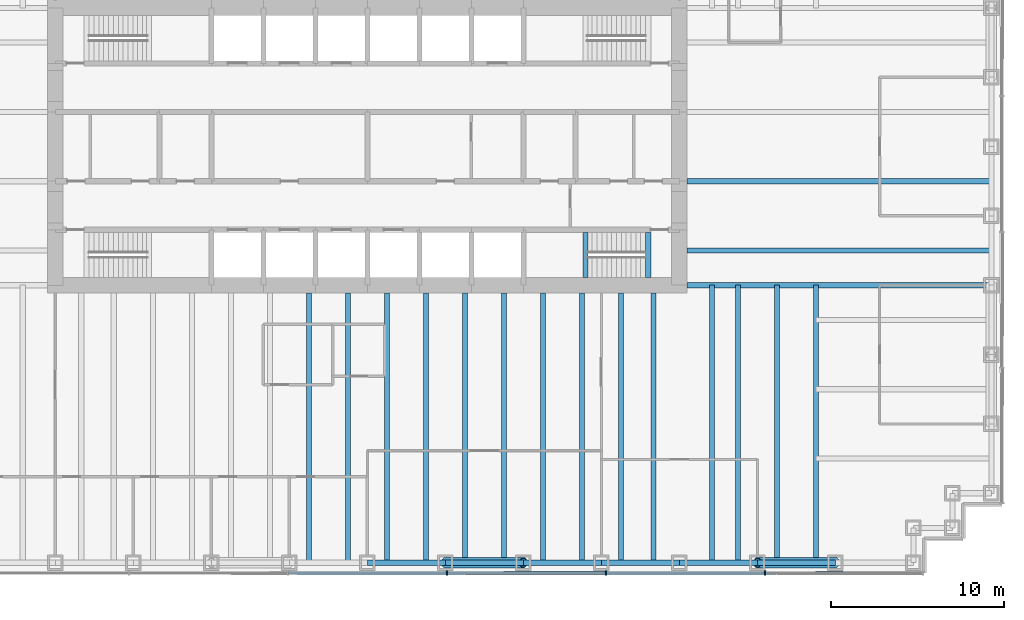
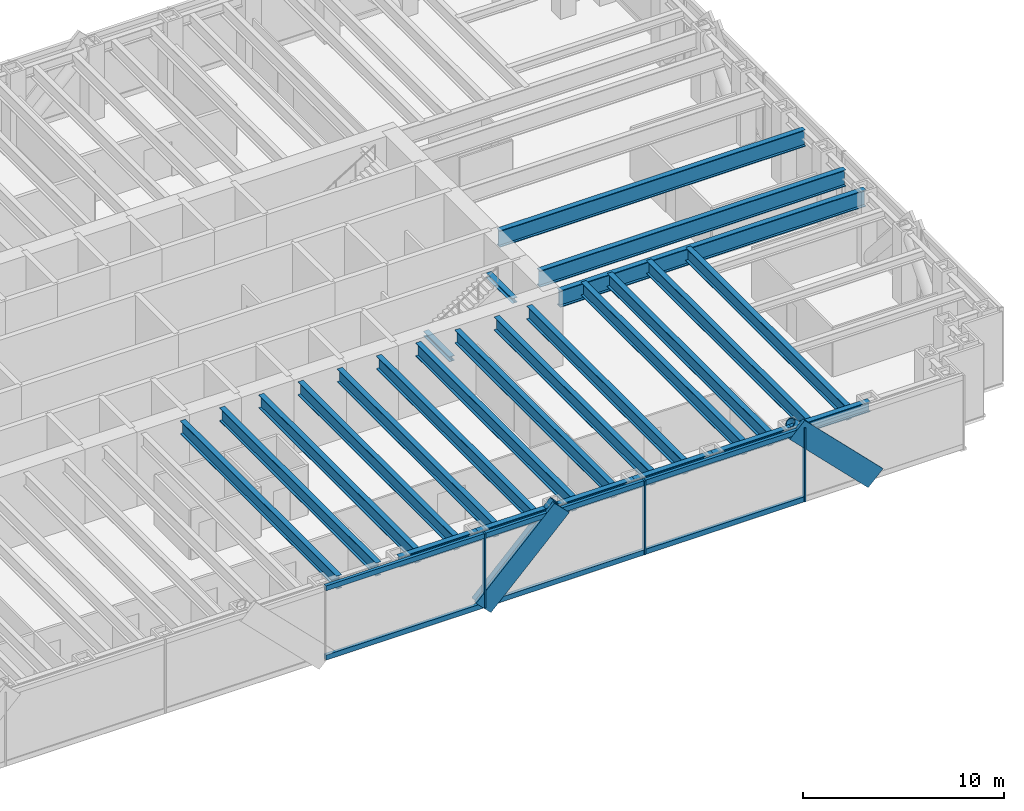
# One storey, part 3 of 13: 25 beams, 13 members, 1 element without a shape of its own.
"""IFC4 building model written with IfcOpenShell, lengths in metres."""

from ifc_helpers import new_model, si_unit, direction, frame, origin, origin_2d, place, context, subcontext, project, spatial, rectangle, hollow_circle, i_section, extrude, material, material_profile, profile_set, type_object, element, aggregate, save


model = new_model("IFC4")

# Units and contexts
model_context = context("Model", 3, precision=1e-05, world=origin(), true_north=direction((0.0, 1.0)))
body_context = subcontext(model_context, "Body", "Model", "MODEL_VIEW")
ifc_project = project(units=[si_unit("LENGTHUNIT", "METRE"), si_unit("AREAUNIT", "SQUARE_METRE"), si_unit("VOLUMEUNIT", "CUBIC_METRE"), si_unit("PLANEANGLEUNIT", "RADIAN"), si_unit("MASSUNIT", "GRAM", prefix="KILO")], contexts=[model_context])

# Site, building, storey
site_placement = place(None, origin())
site = spatial("IfcSite", under=ifc_project, at=site_placement, CompositionType="ELEMENT")
building_placement = place(site_placement, origin())
building = spatial("IfcBuilding", under=site, at=building_placement, Name="Rheinbord Bourse Tower", CompositionType="ELEMENT")
storey_placement = place(building_placement, frame((0.0, 0.0, 68.0)))
storey = spatial("IfcBuildingStorey", under=building, at=storey_placement, Name="L14", CompositionType="ELEMENT", Elevation=68.0)

# Curtain wall, members
ifc_material_1 = material(Name="Dark glass and black aluminium", Category="aluminium")
curtain_wall_type = type_object("IfcCurtainWallType", Name="CW1 DARK GLASS CURTAIN WALL", PredefinedType="USERDEFINED", material=ifc_material_1)
curtain_wall_placement = place(storey_placement, origin())
curtain_wall = element("IfcCurtainWall", 1, at=curtain_wall_placement, inside=storey, type_object=curtain_wall_type, Name="Curtain wall CW1 S L14", ObjectType="UNITISED CURTAIN WALL", PredefinedType="USERDEFINED")
ifc_material_2 = material(Name="Black anodised aluminium", Category="aluminium")
ifc_material_profile_1 = material_profile(ifc_material_2, rectangle(XDim=0.179931640625, YDim=1.2099609375, at=origin_2d()), Name="CW1 DIAGONAL MULLION 1210x180")
ifc_profile_set_1 = profile_set([ifc_material_profile_1], Name="Black anodised aluminium")
member_type_1 = type_object("IfcMemberType", Name="CW1 BLACK DIAGONAL MULLION", PredefinedType="USERDEFINED", material=ifc_profile_set_1)
member_1_placement = place(storey_placement, frame((63.0, -0.60009765625, 0.0), z_axis=(-0.707106781187, 0.0, 0.707106781187), x_axis=(0.0, -1.0, 0.0)))
member_1 = element("IfcMember", 2, at=member_1_placement, type_object=member_type_1, Name="CW1 diagonal mullion a", ObjectType="DIAGONAL MULLION", PredefinedType="USERDEFINED", context=body_context, shape_type="SweptSolid", body=[
    extrude(rectangle(XDim=0.179931640625, YDim=1.2099609375, at=origin_2d()), origin(), (0.0, 0.0, 1.0), 6.364013671875),
])
member_2_placement = place(storey_placement, frame((40.5, -0.60009765625, 0.0), z_axis=(0.707106781187, 0.0, 0.707106781187), x_axis=(0.0, 1.0, 0.0)))
member_2 = element("IfcMember", 3, at=member_2_placement, type_object=member_type_1, Name="CW1 diagonal mullion d", ObjectType="DIAGONAL MULLION", PredefinedType="USERDEFINED", context=body_context, shape_type="SweptSolid", body=[
    extrude(rectangle(XDim=0.179931640625, YDim=1.2099609375, at=origin_2d()), origin(), (0.0, 0.0, 1.0), 6.364013671875),
])
ifc_material_3 = material(Name="Black anodised aluminium", Category="aluminium")
ifc_material_profile_2 = material_profile(ifc_material_3, rectangle(XDim=0.25, YDim=0.080078125, at=origin_2d()), Name="CW1 MULLION 80x250")
ifc_profile_set_2 = profile_set([ifc_material_profile_2], Name="Black anodised aluminium")
member_type_2 = type_object("IfcMemberType", Name="CW1 BLACK MULLION", PredefinedType="MULLION", material=ifc_profile_set_2)
member_3_placement = place(storey_placement, frame((40.585693359375, -0.60009765625, 0.0), z_axis=(0.0, 0.0, 1.0), x_axis=(0.0, 1.0, 0.0)))
member_3 = element("IfcMember", 4, at=member_3_placement, type_object=member_type_2, Name="CW1 mullion 5", PredefinedType="MULLION", context=body_context, shape_type="SweptSolid", body=[
    extrude(rectangle(XDim=0.25, YDim=0.080078125, at=origin_2d()), origin(), (0.0, 0.0, 1.0), 4.5),
])
member_4_placement = place(storey_placement, frame((49.757080078125, -0.60009765625, 0.0), z_axis=(0.0, 0.0, 1.0), x_axis=(0.0, 1.0, 0.0)))
member_4 = element("IfcMember", 5, at=member_4_placement, type_object=member_type_2, Name="CW1 mullion 6", PredefinedType="MULLION", context=body_context, shape_type="SweptSolid", body=[
    extrude(rectangle(XDim=0.25, YDim=0.080078125, at=origin_2d()), origin(), (0.0, 0.0, 1.0), 4.5),
])
member_5_placement = place(storey_placement, frame((58.928466796875, -0.60009765625, 0.0), z_axis=(0.0, 0.0, 1.0), x_axis=(0.0, 1.0, 0.0)))
member_5 = element("IfcMember", 6, at=member_5_placement, type_object=member_type_2, Name="CW1 mullion 7", PredefinedType="MULLION", context=body_context, shape_type="SweptSolid", body=[
    extrude(rectangle(XDim=0.25, YDim=0.080078125, at=origin_2d()), origin(), (0.0, 0.0, 1.0), 4.5),
])
ifc_material_4 = material(Name="Black anodised aluminium", Category="aluminium")
ifc_material_profile_3 = material_profile(ifc_material_4, rectangle(XDim=0.179931640625, YDim=0.300048828125, at=origin_2d()), Name="CW1 TRANSOM 300x180")
ifc_profile_set_3 = profile_set([ifc_material_profile_3], Name="Black anodised aluminium")
member_type_3 = type_object("IfcMemberType", Name="CW1 BLACK TRANSOM", PredefinedType="USERDEFINED", material=ifc_profile_set_3)
member_6_placement = place(storey_placement, frame((31.454345703125, -0.60009765625, 0.14990234375), z_axis=(1.0, 0.0, 0.0), x_axis=(0.0, 1.0, 0.0)))
member_6 = element("IfcMember", 7, at=member_6_placement, type_object=member_type_3, Name="CW1 transom 4.1", ObjectType="TRANSOM", PredefinedType="USERDEFINED", context=body_context, shape_type="SweptSolid", body=[
    extrude(rectangle(XDim=0.179931640625, YDim=0.300048828125, at=origin_2d()), origin(), (0.0, 0.0, 1.0), 9.09130859375),
])
member_7_placement = place(storey_placement, frame((31.454345703125, -0.60009765625, 4.35009765625), z_axis=(1.0, 0.0, 0.0), x_axis=(0.0, 1.0, 0.0)))
member_7 = element("IfcMember", 8, at=member_7_placement, type_object=member_type_3, Name="CW1 transom 4.2", ObjectType="TRANSOM", PredefinedType="USERDEFINED", context=body_context, shape_type="SweptSolid", body=[
    extrude(rectangle(XDim=0.179931640625, YDim=0.300048828125, at=origin_2d()), origin(), (0.0, 0.0, 1.0), 9.09130859375),
])
member_8_placement = place(storey_placement, frame((40.625732421875, -0.60009765625, 0.14990234375), z_axis=(1.0, 0.0, 0.0), x_axis=(0.0, 1.0, 0.0)))
member_8 = element("IfcMember", 9, at=member_8_placement, type_object=member_type_3, Name="CW1 transom 5.1", ObjectType="TRANSOM", PredefinedType="USERDEFINED", context=body_context, shape_type="SweptSolid", body=[
    extrude(rectangle(XDim=0.179931640625, YDim=0.300048828125, at=origin_2d()), origin(), (0.0, 0.0, 1.0), 9.09130859375),
])
member_9_placement = place(storey_placement, frame((40.625732421875, -0.60009765625, 4.35009765625), z_axis=(1.0, 0.0, 0.0), x_axis=(0.0, 1.0, 0.0)))
member_9 = element("IfcMember", 10, at=member_9_placement, type_object=member_type_3, Name="CW1 transom 5.2", ObjectType="TRANSOM", PredefinedType="USERDEFINED", context=body_context, shape_type="SweptSolid", body=[
    extrude(rectangle(XDim=0.179931640625, YDim=0.300048828125, at=origin_2d()), origin(), (0.0, 0.0, 1.0), 9.09130859375),
])
member_10_placement = place(storey_placement, frame((49.797119140625, -0.60009765625, 0.14990234375), z_axis=(1.0, 0.0, 0.0), x_axis=(0.0, 1.0, 0.0)))
member_10 = element("IfcMember", 11, at=member_10_placement, type_object=member_type_3, Name="CW1 transom 6.1", ObjectType="TRANSOM", PredefinedType="USERDEFINED", context=body_context, shape_type="SweptSolid", body=[
    extrude(rectangle(XDim=0.179931640625, YDim=0.300048828125, at=origin_2d()), origin(), (0.0, 0.0, 1.0), 9.091552734375),
])
member_11_placement = place(storey_placement, frame((49.797119140625, -0.60009765625, 4.35009765625), z_axis=(1.0, 0.0, 0.0), x_axis=(0.0, 1.0, 0.0)))
member_11 = element("IfcMember", 12, at=member_11_placement, type_object=member_type_3, Name="CW1 transom 6.2", ObjectType="TRANSOM", PredefinedType="USERDEFINED", context=body_context, shape_type="SweptSolid", body=[
    extrude(rectangle(XDim=0.179931640625, YDim=0.300048828125, at=origin_2d()), origin(), (0.0, 0.0, 1.0), 9.091552734375),
])
aggregate(curtain_wall, [member_3, member_4, member_5, member_6, member_7, member_8, member_9, member_10, member_11, member_1, member_2])

# Beams
ifc_material_5 = material(Name="Steel S460", Category="steel")
ifc_material_profile_4 = material_profile(ifc_material_5, i_section(OverallWidth=0.302001953125, OverallDepth=1.008056640625, WebThickness=0.02099609375, FlangeThickness=0.0400390625, at=origin_2d()), Name="HEM 1000")
ifc_profile_set_4 = profile_set([ifc_material_profile_4], Name="Steel S460")
beam_type_1 = type_object("IfcBeamType", Name="END BEAM HEM 1000", PredefinedType="BEAM", material=ifc_profile_set_4)
for number, where, z_axis, x_axis, name in (
    (13, (54.449951171875, 18.0, 3.81591796875), (1.0, 0.0, 0.0), (0.0, 1.0, 0.0), "End beam east 18 L15"),
    (14, (54.449951171875, 22.0, 3.81591796875), (1.0, 0.0, 0.0), (0.0, 1.0, 0.0), "End beam east 22 L15"),
):
    element("IfcBeam", number, at=place(storey_placement, frame(where, z_axis=z_axis, x_axis=x_axis)), inside=storey, type_object=beam_type_1, Name=name, PredefinedType="BEAM", context=body_context, shape_type="SweptSolid", body=[
        extrude(i_section(OverallWidth=0.302001953125, OverallDepth=1.008056640625, WebThickness=0.02099609375, FlangeThickness=0.0400390625, at=origin_2d()), origin(), (0.0, 0.0, 1.0), 17.550048828125),
    ])
ifc_material_6 = material(Name="Steel S460", Category="steel")
ifc_material_profile_5 = material_profile(ifc_material_6, i_section(OverallWidth=0.300048828125, OverallDepth=0.800048828125, WebThickness=0.017578125, FlangeThickness=0.032958984375, at=origin_2d()), Name="HEB 800")
ifc_profile_set_5 = profile_set([ifc_material_profile_5], Name="Steel S460")
beam_type_2 = type_object("IfcBeamType", Name="FLOOR BEAM HEB 800", PredefinedType="BEAM", material=ifc_profile_set_5)
for number, where, z_axis, x_axis, name in (
    (15, (32.625, 0.0, 3.919921875), (0.0, 1.0, 0.0), (-1.0, 0.0, 0.0), "Floor beam S-31.5a L15"),
    (16, (34.875, 0.0, 3.919921875), (0.0, 1.0, 0.0), (-1.0, 0.0, 0.0), "Floor beam S-31.5b L15"),
    (17, (37.125, 0.0, 3.919921875), (0.0, 1.0, 0.0), (-1.0, 0.0, 0.0), "Floor beam S-36a L15"),
    (18, (39.375, 0.0, 3.919921875), (0.0, 1.0, 0.0), (-1.0, 0.0, 0.0), "Floor beam S-36b L15"),
    (19, (41.625, 0.0, 3.919921875), (0.0, 1.0, 0.0), (-1.0, 0.0, 0.0), "Floor beam S-40.5a L15"),
    (20, (43.875, 0.0, 3.919921875), (0.0, 1.0, 0.0), (-1.0, 0.0, 0.0), "Floor beam S-40.5b L15"),
    (21, (46.125, 0.0, 3.919921875), (0.0, 1.0, 0.0), (-1.0, 0.0, 0.0), "Floor beam S-45a L15"),
    (22, (48.375, 0.0, 3.919921875), (0.0, 1.0, 0.0), (-1.0, 0.0, 0.0), "Floor beam S-45b L15"),
    (23, (50.625, 0.0, 3.919921875), (0.0, 1.0, 0.0), (-1.0, 0.0, 0.0), "Floor beam S-49.5a L15"),
    (24, (52.5, 0.0, 3.919921875), (0.0, 1.0, 0.0), (-1.0, 0.0, 0.0), "Floor beam S-49.5b L15"),
):
    element("IfcBeam", number, at=place(storey_placement, frame(where, z_axis=z_axis, x_axis=x_axis)), inside=storey, type_object=beam_type_2, Name=name, PredefinedType="BEAM", context=body_context, shape_type="SweptSolid", body=[
        extrude(i_section(OverallWidth=0.300048828125, OverallDepth=0.800048828125, WebThickness=0.017578125, FlangeThickness=0.032958984375, at=origin_2d()), origin(), (0.0, 0.0, 1.0), 15.550048828125),
    ])
for number, where, z_axis, x_axis, name in (
    (25, (55.875, 0.0, 3.919921875), (0.0, 1.0, 0.0), (-1.0, 0.0, 0.0), "Floor beam S-54a L15"),
    (26, (57.375, 0.0, 3.919921875), (0.0, 1.0, 0.0), (-1.0, 0.0, 0.0), "Floor beam S-54b L15"),
    (27, (59.625, 0.0, 3.919921875), (0.0, 1.0, 0.0), (-1.0, 0.0, 0.0), "Floor beam S-58.5a L15"),
    (28, (61.875, 0.0, 3.919921875), (0.0, 1.0, 0.0), (-1.0, 0.0, 0.0), "Floor beam S-58.5b L15"),
):
    element("IfcBeam", number, at=place(storey_placement, frame(where, z_axis=z_axis, x_axis=x_axis)), inside=storey, type_object=beam_type_2, Name=name, PredefinedType="BEAM", context=body_context, shape_type="SweptSolid", body=[
        extrude(i_section(OverallWidth=0.300048828125, OverallDepth=0.800048828125, WebThickness=0.017578125, FlangeThickness=0.032958984375, at=origin_2d()), origin(), (0.0, 0.0, 1.0), 16.0),
    ])
ifc_material_7 = material(Name="Steel S460", Category="steel")
ifc_material_profile_6 = material_profile(ifc_material_7, i_section(OverallWidth=0.302001953125, OverallDepth=1.008056640625, WebThickness=0.02099609375, FlangeThickness=0.0400390625, at=origin_2d()), Name="HEM 1000")
ifc_profile_set_6 = profile_set([ifc_material_profile_6], Name="Steel S460")
beam_type_3 = type_object("IfcBeamType", Name="GIRDER HEM 1000", PredefinedType="BEAM", material=ifc_profile_set_6)
beam_placement = place(storey_placement, frame((54.449951171875, 16.0, 3.81591796875), z_axis=(1.0, 0.0, 0.0), x_axis=(0.0, 1.0, 0.0)))
element("IfcBeam", 29, at=beam_placement, inside=storey, type_object=beam_type_3, Name="Girder east 16 L15", PredefinedType="BEAM", context=body_context, shape_type="SweptSolid", body=[
    extrude(i_section(OverallWidth=0.302001953125, OverallDepth=1.008056640625, WebThickness=0.02099609375, FlangeThickness=0.0400390625, at=origin_2d()), origin(), (0.0, 0.0, 1.0), 17.550048828125),
])
ifc_material_8 = material(Name="Steel S460", Category="steel")
ifc_material_profile_7 = material_profile(ifc_material_8, i_section(OverallWidth=0.300048828125, OverallDepth=0.300048828125, WebThickness=0.010986328125, FlangeThickness=0.01904296875, at=origin_2d()), Name="HEB 300")
ifc_profile_set_7 = profile_set([ifc_material_profile_7], Name="Steel S460")
beam_type_4 = type_object("IfcBeamType", Name="LANDING TRIMMER HEB 300", PredefinedType="BEAM", material=ifc_profile_set_7)
for number, where, z_axis, x_axis, name in (
    (30, (48.590087890625, 16.449951171875, 1.89990234375), (0.0, 1.0, 0.0), (-1.0, 0.0, 0.0), "Landing trimmer ST3 L14"),
    (31, (52.199951171875, 16.449951171875, 4.169921875), (0.0, 1.0, 0.0), (-1.0, 0.0, 0.0), "Well trimmer ST3 under L15"),
):
    element("IfcBeam", number, at=place(storey_placement, frame(where, z_axis=z_axis, x_axis=x_axis)), inside=storey, type_object=beam_type_4, Name=name, PredefinedType="BEAM", context=body_context, shape_type="SweptSolid", body=[
        extrude(i_section(OverallWidth=0.300048828125, OverallDepth=0.300048828125, WebThickness=0.010986328125, FlangeThickness=0.01904296875, at=origin_2d()), origin(), (0.0, 0.0, 1.0), 2.60009765625),
    ])

# Members
ifc_material_9 = material(Name="Steel S460", Category="steel")
ifc_material_profile_8 = material_profile(ifc_material_9, hollow_circle(Radius=0.304931640625, WallThickness=0.050048828125, at=origin_2d()), Name="CHS 610x50")
ifc_profile_set_8 = profile_set([ifc_material_profile_8], Name="Steel S460")
member_type_4 = type_object("IfcMemberType", Name="MEGABRACE CHS 610x50", PredefinedType="BRACE", material=ifc_profile_set_8)
for number, where, z_axis, x_axis, name in (
    (32, (63.0, 0.0, 0.0), (-0.707106781187, 0.0, 0.707106781187), (0.0, -1.0, 0.0), "Megabrace S face line a L14"),
    (33, (40.5, 0.0, 0.0), (0.707106781187, 0.0, 0.707106781187), (0.0, 1.0, 0.0), "Megabrace S face line d L14"),
):
    element("IfcMember", number, at=place(storey_placement, frame(where, z_axis=z_axis, x_axis=x_axis)), inside=storey, type_object=member_type_4, Name=name, PredefinedType="BRACE", context=body_context, shape_type="SweptSolid", body=[
        extrude(hollow_circle(Radius=0.304931640625, WallThickness=0.050048828125, at=origin_2d()), origin(), (0.0, 0.0, 1.0), 6.364013671875),
    ])

# Beams
ifc_material_10 = material(Name="Steel S460", Category="steel")
ifc_material_profile_9 = material_profile(ifc_material_10, i_section(OverallWidth=0.304931640625, OverallDepth=0.6201171875, WebThickness=0.02099609375, FlangeThickness=0.0400390625, at=origin_2d()), Name="HEM 600")
ifc_profile_set_9 = profile_set([ifc_material_profile_9], Name="Steel S460")
beam_type_5 = type_object("IfcBeamType", Name="SPANDREL HEM 600", PredefinedType="SPANDREL", material=ifc_profile_set_9)
for number, where, z_axis, x_axis, name in (
    (34, (36.0, 0.0, 4.010009765625), (1.0, 0.0, 0.0), (0.0, 1.0, 0.0), "Spandrel S-36-S-40.5 under L15"),
    (35, (40.5, 0.0, 4.010009765625), (1.0, 0.0, 0.0), (0.0, 1.0, 0.0), "Spandrel S-40.5-S-45 under L15"),
    (36, (45.0, 0.0, 4.010009765625), (1.0, 0.0, 0.0), (0.0, 1.0, 0.0), "Spandrel S-45-S-49.5 under L15"),
    (37, (49.5, 0.0, 4.010009765625), (1.0, 0.0, 0.0), (0.0, 1.0, 0.0), "Spandrel S-49.5-S-54 under L15"),
    (38, (54.0, 0.0, 4.010009765625), (1.0, 0.0, 0.0), (0.0, 1.0, 0.0), "Spandrel S-54-S-58.5 under L15"),
    (39, (58.5, 0.0, 4.010009765625), (1.0, 0.0, 0.0), (0.0, 1.0, 0.0), "Spandrel S-58.5-S-63 under L15"),
):
    element("IfcBeam", number, at=place(storey_placement, frame(where, z_axis=z_axis, x_axis=x_axis)), inside=storey, type_object=beam_type_5, Name=name, PredefinedType="SPANDREL", context=body_context, shape_type="SweptSolid", body=[
        extrude(i_section(OverallWidth=0.304931640625, OverallDepth=0.6201171875, WebThickness=0.02099609375, FlangeThickness=0.0400390625, at=origin_2d()), origin(), (0.0, 0.0, 1.0), 4.5),
    ])

save(model, "model.ifc")
